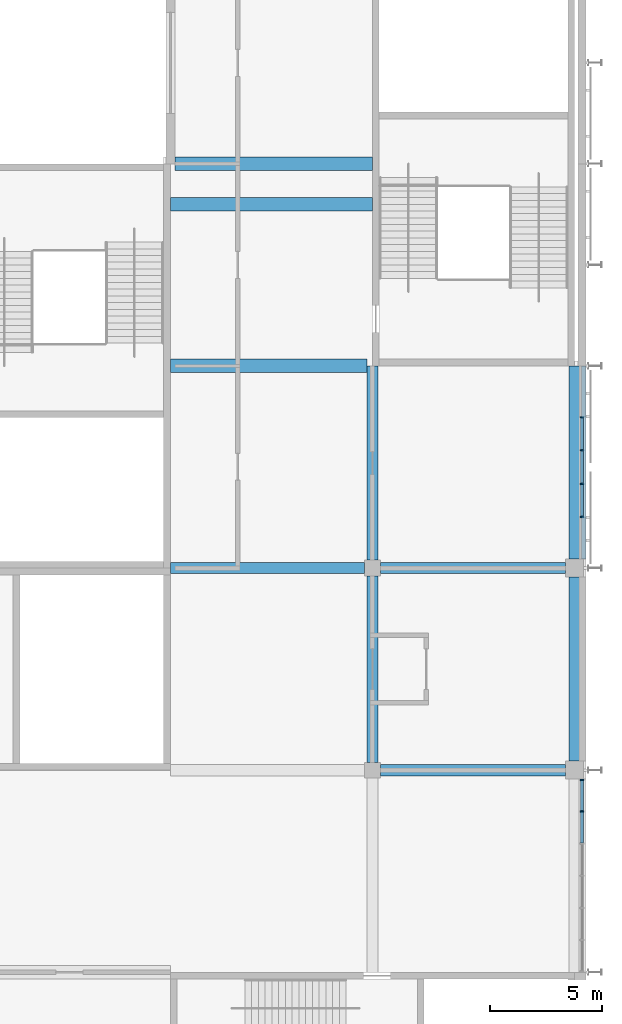
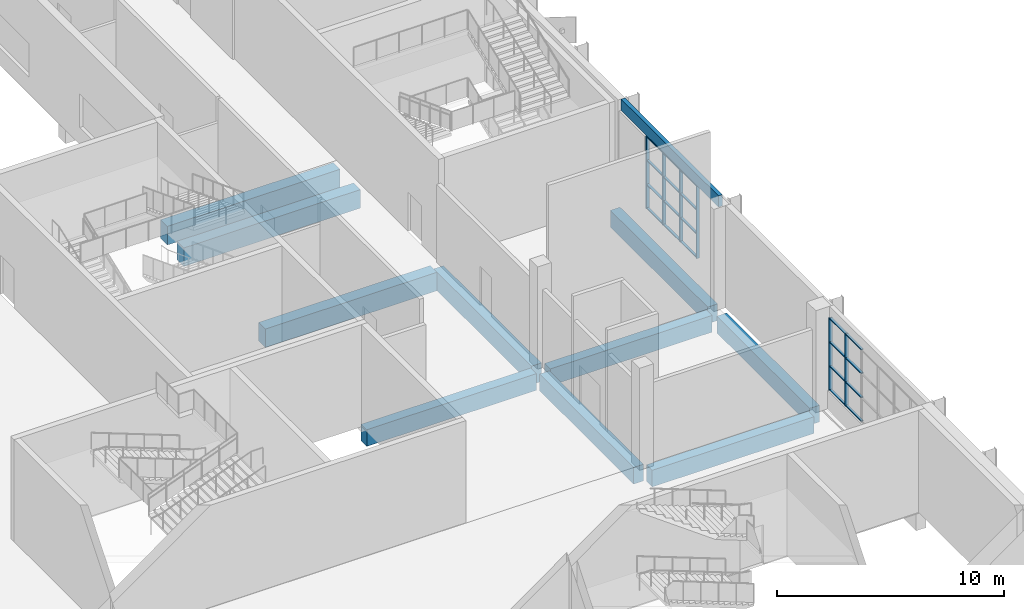
# One storey, part 22 of 84: 26 members, 11 beams, 2 elements without a shape of their own.
"""IFC4 building model written with IfcOpenShell, lengths in metres."""

from ifc_helpers import new_model, si_unit, direction, frame, origin, origin_2d, place, context, subcontext, project, spatial, rectangle, extrude, material, material_profile, profile_set, type_object, element, aggregate, save


model = new_model("IFC4")

# Units and contexts
model_context = context("Model", 3, precision=1e-05, world=origin(), true_north=direction((0.0, 1.0)))
body_context = subcontext(model_context, "Body", "Model", "MODEL_VIEW")
ifc_project = project(units=[si_unit("LENGTHUNIT", "METRE"), si_unit("AREAUNIT", "SQUARE_METRE"), si_unit("VOLUMEUNIT", "CUBIC_METRE"), si_unit("PLANEANGLEUNIT", "RADIAN"), si_unit("MASSUNIT", "GRAM", prefix="KILO")], contexts=[model_context])

# Site, building, storey
site_placement = place(None, origin())
site = spatial("IfcSite", under=ifc_project, at=site_placement, CompositionType="ELEMENT")
building_placement = place(site_placement, origin())
building = spatial("IfcBuilding", under=site, at=building_placement, Name="Silverbay Arena", CompositionType="ELEMENT")
storey_placement = place(building_placement, frame((0.0, 0.0, 28.0)))
storey = spatial("IfcBuildingStorey", under=building, at=storey_placement, Name="L04", CompositionType="ELEMENT", Elevation=28.0)

# Curtain wall, members
ifc_material_1 = material(Name="Aluminium framed curtain wall", Category="aluminium")
curtain_wall_type_1 = type_object("IfcCurtainWallType", Name="Curtain wall 8600 x 3900", PredefinedType="NOTDEFINED", material=ifc_material_1)
curtain_wall_1_placement = place(storey_placement, origin())
curtain_wall_1 = element("IfcCurtainWall", 1, at=curtain_wall_1_placement, inside=storey, type_object=curtain_wall_type_1, Name="East curtain wall L04 bay 2", PredefinedType="NOTDEFINED")
ifc_material_2 = material(Name="Aluminium", Category="aluminium")
ifc_material_profile_1 = material_profile(ifc_material_2, rectangle(XDim=0.159912109375, YDim=0.06005859375, at=origin_2d()), Name="Mullion 60 x 160")
ifc_profile_set_1 = profile_set([ifc_material_profile_1], Name="Aluminium")
member_type_1 = type_object("IfcMemberType", Name="Mullion 60 x 160", PredefinedType="MULLION", material=ifc_profile_set_1)
member_1_placement = place(storey_placement, frame((207.330078125, 34.166748046875, 1.0), z_axis=(0.0, 0.0, 1.0), x_axis=(-1.0, 0.0, 0.0)))
member_1 = element("IfcMember", 2, at=member_1_placement, type_object=member_type_1, Name="CW1 mullion 6", PredefinedType="MULLION", context=body_context, shape_type="SweptSolid", body=[
    extrude(rectangle(XDim=0.159912109375, YDim=0.06005859375, at=origin_2d()), origin(), (0.0, 0.0, 1.0), 3.89990234375),
])
member_2_placement = place(storey_placement, frame((207.330078125, 35.570068359375, 1.0), z_axis=(0.0, 0.0, 1.0), x_axis=(-1.0, 0.0, 0.0)))
member_2 = element("IfcMember", 3, at=member_2_placement, type_object=member_type_1, Name="CW1 mullion 7", PredefinedType="MULLION", context=body_context, shape_type="SweptSolid", body=[
    extrude(rectangle(XDim=0.159912109375, YDim=0.06005859375, at=origin_2d()), origin(), (0.0, 0.0, 1.0), 3.89990234375),
])

ifc_material_3 = material(Name="Aluminium framed curtain wall", Category="aluminium")
curtain_wall_type_2 = type_object("IfcCurtainWallType", Name="Curtain wall 4500 x 3900", PredefinedType="NOTDEFINED", material=ifc_material_3)
curtain_wall_2_placement = place(storey_placement, origin())
curtain_wall_2 = element("IfcCurtainWall", 4, at=curtain_wall_2_placement, inside=storey, type_object=curtain_wall_type_2, Name="East curtain wall L04 bay 4", PredefinedType="NOTDEFINED")
member_3_placement = place(storey_placement, frame((207.330078125, 47.280029296875, 1.0), z_axis=(0.0, 0.0, 1.0), x_axis=(-1.0, 0.0, 0.0)))
member_3 = element("IfcMember", 5, at=member_3_placement, type_object=member_type_1, Name="CW15 mullion 1", PredefinedType="MULLION", context=body_context, shape_type="SweptSolid", body=[
    extrude(rectangle(XDim=0.159912109375, YDim=0.06005859375, at=origin_2d()), origin(), (0.0, 0.0, 1.0), 3.89990234375),
])
member_4_placement = place(storey_placement, frame((207.330078125, 48.75, 1.0), z_axis=(0.0, 0.0, 1.0), x_axis=(-1.0, 0.0, 0.0)))
member_4 = element("IfcMember", 6, at=member_4_placement, type_object=member_type_1, Name="CW15 mullion 2", PredefinedType="MULLION", context=body_context, shape_type="SweptSolid", body=[
    extrude(rectangle(XDim=0.159912109375, YDim=0.06005859375, at=origin_2d()), origin(), (0.0, 0.0, 1.0), 3.89990234375),
])
member_5_placement = place(storey_placement, frame((207.330078125, 50.25, 1.0), z_axis=(0.0, 0.0, 1.0), x_axis=(-1.0, 0.0, 0.0)))
member_5 = element("IfcMember", 7, at=member_5_placement, type_object=member_type_1, Name="CW15 mullion 3", PredefinedType="MULLION", context=body_context, shape_type="SweptSolid", body=[
    extrude(rectangle(XDim=0.159912109375, YDim=0.06005859375, at=origin_2d()), origin(), (0.0, 0.0, 1.0), 3.89990234375),
])
member_6_placement = place(storey_placement, frame((207.330078125, 51.719970703125, 1.0), z_axis=(0.0, 0.0, 1.0), x_axis=(-1.0, 0.0, 0.0)))
member_6 = element("IfcMember", 8, at=member_6_placement, type_object=member_type_1, Name="CW15 mullion 4", PredefinedType="MULLION", context=body_context, shape_type="SweptSolid", body=[
    extrude(rectangle(XDim=0.159912109375, YDim=0.06005859375, at=origin_2d()), origin(), (0.0, 0.0, 1.0), 3.89990234375),
])

# Beams
ifc_material_4 = material(Name="Concrete Grade C45", Category="concrete")
ifc_material_profile_2 = material_profile(ifc_material_4, rectangle(XDim=0.5, YDim=1.0, at=origin_2d()), Name="RC 500x1000")
ifc_profile_set_2 = profile_set([ifc_material_profile_2], Name="Concrete Grade C45")
beam_type_1 = type_object("IfcBeamType", Name="RC beam 500x1000", PredefinedType="BEAM", material=ifc_profile_set_2)
beam_1_placement = place(storey_placement, frame((198.0, 45.35009765625, -0.800048828125), z_axis=(0.0, 1.0, 0.0), x_axis=(-1.0, 0.0, 0.0)))
element("IfcBeam", 9, at=beam_1_placement, inside=storey, type_object=beam_type_1, Name="Floor beam L04 147", PredefinedType="BEAM", context=body_context, shape_type="SweptSolid", body=[
    extrude(rectangle(XDim=0.5, YDim=1.0, at=origin_2d()), origin(), (0.0, 0.0, 1.0), 8.64990234375),
])
ifc_material_5 = material(Name="Concrete Grade C45", Category="concrete")
ifc_material_profile_3 = material_profile(ifc_material_5, rectangle(XDim=0.5, YDim=0.89990234375, at=origin_2d()), Name="RC 500x900")
ifc_profile_set_3 = profile_set([ifc_material_profile_3], Name="Concrete Grade C45")
beam_type_2 = type_object("IfcBeamType", Name="RC beam 500x900", PredefinedType="BEAM", material=ifc_profile_set_3)
beam_2_placement = place(storey_placement, frame((198.35009765625, 36.0, -0.75), z_axis=(1.0, 0.0, 0.0), x_axis=(0.0, 1.0, 0.0)))
element("IfcBeam", 10, at=beam_2_placement, inside=storey, type_object=beam_type_2, Name="Floor beam L04 014", PredefinedType="BEAM", context=body_context, shape_type="SweptSolid", body=[
    extrude(rectangle(XDim=0.5, YDim=0.89990234375, at=origin_2d()), origin(), (0.0, 0.0, 1.0), 8.25),
])
beam_3_placement = place(storey_placement, frame((189.0, 45.0, -0.75), z_axis=(1.0, 0.0, 0.0), x_axis=(0.0, 1.0, 0.0)))
element("IfcBeam", 11, at=beam_3_placement, inside=storey, type_object=beam_type_2, Name="Floor beam L04 019", PredefinedType="BEAM", context=body_context, shape_type="SweptSolid", body=[
    extrude(rectangle(XDim=0.5, YDim=0.89990234375, at=origin_2d()), origin(), (0.0, 0.0, 1.0), 8.64990234375),
])
beam_4_placement = place(storey_placement, frame((198.35009765625, 45.0, -0.75), z_axis=(1.0, 0.0, 0.0), x_axis=(0.0, 1.0, 0.0)))
element("IfcBeam", 12, at=beam_4_placement, inside=storey, type_object=beam_type_2, Name="Floor beam L04 020", PredefinedType="BEAM", context=body_context, shape_type="SweptSolid", body=[
    extrude(rectangle(XDim=0.5, YDim=0.89990234375, at=origin_2d()), origin(), (0.0, 0.0, 1.0), 8.25),
])
beam_5_placement = place(storey_placement, frame((198.0, 36.35009765625, -0.75), z_axis=(0.0, 1.0, 0.0), x_axis=(-1.0, 0.0, 0.0)))
element("IfcBeam", 13, at=beam_5_placement, inside=storey, type_object=beam_type_2, Name="Floor beam L04 146", PredefinedType="BEAM", context=body_context, shape_type="SweptSolid", body=[
    extrude(rectangle(XDim=0.5, YDim=0.89990234375, at=origin_2d()), origin(), (0.0, 0.0, 1.0), 8.2998046875),
])
beam_6_placement = place(storey_placement, frame((207.0, 36.39990234375, -0.75), z_axis=(0.0, 1.0, 0.0), x_axis=(-1.0, 0.0, 0.0)))
element("IfcBeam", 14, at=beam_6_placement, inside=storey, type_object=beam_type_2, Name="Floor beam L04 154", PredefinedType="BEAM", context=body_context, shape_type="SweptSolid", body=[
    extrude(rectangle(XDim=0.5, YDim=0.89990234375, at=origin_2d()), origin(), (0.0, 0.0, 1.0), 8.2001953125),
])
beam_7_placement = place(storey_placement, frame((207.0, 45.39990234375, -0.75), z_axis=(0.0, 1.0, 0.0), x_axis=(-1.0, 0.0, 0.0)))
element("IfcBeam", 15, at=beam_7_placement, inside=storey, type_object=beam_type_2, Name="Floor beam L04 155", PredefinedType="BEAM", context=body_context, shape_type="SweptSolid", body=[
    extrude(rectangle(XDim=0.5, YDim=0.89990234375, at=origin_2d()), origin(), (0.0, 0.0, 1.0), 8.60009765625),
])
ifc_material_6 = material(Name="Concrete Grade C45", Category="concrete")
ifc_material_profile_4 = material_profile(ifc_material_6, rectangle(XDim=0.60009765625, YDim=1.0, at=origin_2d()), Name="RC 600x1000")
ifc_profile_set_4 = profile_set([ifc_material_profile_4], Name="Concrete Grade C45")
beam_type_3 = type_object("IfcBeamType", Name="RC beam 600x1000", PredefinedType="BEAM", material=ifc_profile_set_4)
beam_8_placement = place(storey_placement, frame((189.0, 54.0, -0.800048828125), z_axis=(1.0, 0.0, 0.0), x_axis=(0.0, 1.0, 0.0)))
element("IfcBeam", 16, at=beam_8_placement, inside=storey, type_object=beam_type_3, Name="Floor beam L04 026", PredefinedType="BEAM", context=body_context, shape_type="SweptSolid", body=[
    extrude(rectangle(XDim=0.60009765625, YDim=1.0, at=origin_2d()), origin(), (0.0, 0.0, 1.0), 8.75),
])
beam_9_placement = place(storey_placement, frame((189.0, 61.199951171875, -0.800048828125), z_axis=(1.0, 0.0, 0.0), x_axis=(0.0, 1.0, 0.0)))
element("IfcBeam", 17, at=beam_9_placement, inside=storey, type_object=beam_type_3, Name="Floor beam L04 030", PredefinedType="BEAM", context=body_context, shape_type="SweptSolid", body=[
    extrude(rectangle(XDim=0.60009765625, YDim=1.0, at=origin_2d()), origin(), (0.0, 0.0, 1.0), 9.0),
])
beam_10_placement = place(storey_placement, frame((189.199951171875, 63.0, -0.800048828125), z_axis=(1.0, 0.0, 0.0), x_axis=(0.0, 1.0, 0.0)))
element("IfcBeam", 18, at=beam_10_placement, inside=storey, type_object=beam_type_3, Name="Floor beam L04 034", PredefinedType="BEAM", context=body_context, shape_type="SweptSolid", body=[
    extrude(rectangle(XDim=0.60009765625, YDim=1.0, at=origin_2d()), origin(), (0.0, 0.0, 1.0), 8.800048828125),
])
ifc_material_7 = material(Name="Concrete Grade C45", Category="concrete")
ifc_material_profile_5 = material_profile(ifc_material_7, rectangle(XDim=0.199951171875, YDim=0.60009765625, at=origin_2d()), Name="RC 200x600")
ifc_profile_set_5 = profile_set([ifc_material_profile_5], Name="Concrete Grade C45")
beam_type_4 = type_object("IfcBeamType", Name="RC facade beam 200x600", PredefinedType="SPANDREL", material=ifc_profile_set_5)
beam_11_placement = place(storey_placement, frame((207.39990234375, 45.39990234375, 5.199951171875), z_axis=(0.0, 1.0, 0.0), x_axis=(-1.0, 0.0, 0.0)))
element("IfcBeam", 19, at=beam_11_placement, inside=storey, type_object=beam_type_4, Name="Facade beam L04 east", PredefinedType="SPANDREL", context=body_context, shape_type="SweptSolid", body=[
    extrude(rectangle(XDim=0.199951171875, YDim=0.60009765625, at=origin_2d()), origin(), (0.0, 0.0, 1.0), 8.60009765625),
])

# Member
ifc_material_8 = material(Name="Aluminium", Category="aluminium")
ifc_material_profile_6 = material_profile(ifc_material_8, rectangle(XDim=0.1201171875, YDim=0.050048828125, at=origin_2d()), Name="Transom 50 x 120")
ifc_profile_set_6 = profile_set([ifc_material_profile_6], Name="Aluminium")
member_type_2 = type_object("IfcMemberType", Name="Transom 50 x 120", PredefinedType="USERDEFINED", material=ifc_profile_set_6)
member_7_placement = place(storey_placement, frame((207.330078125, 32.763427734375, 1.02490234375), z_axis=(0.0, 1.0, 0.0), x_axis=(-1.0, 0.0, 0.0)))
member_7 = element("IfcMember", 20, at=member_7_placement, type_object=member_type_2, Name="CW1 transom 5.1", ObjectType="TRANSOM", PredefinedType="USERDEFINED", context=body_context, shape_type="SweptSolid", body=[
    extrude(rectangle(XDim=0.1201171875, YDim=0.050048828125, at=origin_2d()), origin(), (0.0, 0.0, 1.0), 1.373291015625),
])

member_8_placement = place(storey_placement, frame((207.330078125, 32.763427734375, 2.300048828125), z_axis=(0.0, 1.0, 0.0), x_axis=(-1.0, 0.0, 0.0)))
member_8 = element("IfcMember", 21, at=member_8_placement, type_object=member_type_2, Name="CW1 transom 5.2", ObjectType="TRANSOM", PredefinedType="USERDEFINED", context=body_context, shape_type="SweptSolid", body=[
    extrude(rectangle(XDim=0.1201171875, YDim=0.050048828125, at=origin_2d()), origin(), (0.0, 0.0, 1.0), 1.373291015625),
])

member_9_placement = place(storey_placement, frame((207.330078125, 32.763427734375, 3.60009765625), z_axis=(0.0, 1.0, 0.0), x_axis=(-1.0, 0.0, 0.0)))
member_9 = element("IfcMember", 22, at=member_9_placement, type_object=member_type_2, Name="CW1 transom 5.3", ObjectType="TRANSOM", PredefinedType="USERDEFINED", context=body_context, shape_type="SweptSolid", body=[
    extrude(rectangle(XDim=0.1201171875, YDim=0.050048828125, at=origin_2d()), origin(), (0.0, 0.0, 1.0), 1.373291015625),
])

member_10_placement = place(storey_placement, frame((207.330078125, 32.763427734375, 4.875), z_axis=(0.0, 1.0, 0.0), x_axis=(-1.0, 0.0, 0.0)))
member_10 = element("IfcMember", 23, at=member_10_placement, type_object=member_type_2, Name="CW1 transom 5.4", ObjectType="TRANSOM", PredefinedType="USERDEFINED", context=body_context, shape_type="SweptSolid", body=[
    extrude(rectangle(XDim=0.1201171875, YDim=0.050048828125, at=origin_2d()), origin(), (0.0, 0.0, 1.0), 1.373291015625),
])

member_11_placement = place(storey_placement, frame((207.330078125, 34.19677734375, 1.02490234375), z_axis=(0.0, 1.0, 0.0), x_axis=(-1.0, 0.0, 0.0)))
member_11 = element("IfcMember", 24, at=member_11_placement, type_object=member_type_2, Name="CW1 transom 6.1", ObjectType="TRANSOM", PredefinedType="USERDEFINED", context=body_context, shape_type="SweptSolid", body=[
    extrude(rectangle(XDim=0.1201171875, YDim=0.050048828125, at=origin_2d()), origin(), (0.0, 0.0, 1.0), 1.34326171875),
])

member_12_placement = place(storey_placement, frame((207.330078125, 34.19677734375, 2.300048828125), z_axis=(0.0, 1.0, 0.0), x_axis=(-1.0, 0.0, 0.0)))
member_12 = element("IfcMember", 25, at=member_12_placement, type_object=member_type_2, Name="CW1 transom 6.2", ObjectType="TRANSOM", PredefinedType="USERDEFINED", context=body_context, shape_type="SweptSolid", body=[
    extrude(rectangle(XDim=0.1201171875, YDim=0.050048828125, at=origin_2d()), origin(), (0.0, 0.0, 1.0), 1.34326171875),
])

member_13_placement = place(storey_placement, frame((207.330078125, 34.19677734375, 3.60009765625), z_axis=(0.0, 1.0, 0.0), x_axis=(-1.0, 0.0, 0.0)))
member_13 = element("IfcMember", 26, at=member_13_placement, type_object=member_type_2, Name="CW1 transom 6.3", ObjectType="TRANSOM", PredefinedType="USERDEFINED", context=body_context, shape_type="SweptSolid", body=[
    extrude(rectangle(XDim=0.1201171875, YDim=0.050048828125, at=origin_2d()), origin(), (0.0, 0.0, 1.0), 1.34326171875),
])

member_14_placement = place(storey_placement, frame((207.330078125, 34.19677734375, 4.875), z_axis=(0.0, 1.0, 0.0), x_axis=(-1.0, 0.0, 0.0)))
member_14 = element("IfcMember", 27, at=member_14_placement, type_object=member_type_2, Name="CW1 transom 6.4", ObjectType="TRANSOM", PredefinedType="USERDEFINED", context=body_context, shape_type="SweptSolid", body=[
    extrude(rectangle(XDim=0.1201171875, YDim=0.050048828125, at=origin_2d()), origin(), (0.0, 0.0, 1.0), 1.34326171875),
])

aggregate(curtain_wall_1, [member_1, member_2, member_7, member_8, member_9, member_10, member_11, member_12, member_13, member_14])

member_15_placement = place(storey_placement, frame((207.330078125, 47.31005859375, 1.02490234375), z_axis=(0.0, 1.0, 0.0), x_axis=(-1.0, 0.0, 0.0)))
member_15 = element("IfcMember", 28, at=member_15_placement, type_object=member_type_2, Name="CW15 transom 1.1", ObjectType="TRANSOM", PredefinedType="USERDEFINED", context=body_context, shape_type="SweptSolid", body=[
    extrude(rectangle(XDim=0.1201171875, YDim=0.050048828125, at=origin_2d()), origin(), (0.0, 0.0, 1.0), 1.409912109375),
])

member_16_placement = place(storey_placement, frame((207.330078125, 47.31005859375, 2.300048828125), z_axis=(0.0, 1.0, 0.0), x_axis=(-1.0, 0.0, 0.0)))
member_16 = element("IfcMember", 29, at=member_16_placement, type_object=member_type_2, Name="CW15 transom 1.2", ObjectType="TRANSOM", PredefinedType="USERDEFINED", context=body_context, shape_type="SweptSolid", body=[
    extrude(rectangle(XDim=0.1201171875, YDim=0.050048828125, at=origin_2d()), origin(), (0.0, 0.0, 1.0), 1.409912109375),
])

member_17_placement = place(storey_placement, frame((207.330078125, 47.31005859375, 3.60009765625), z_axis=(0.0, 1.0, 0.0), x_axis=(-1.0, 0.0, 0.0)))
member_17 = element("IfcMember", 30, at=member_17_placement, type_object=member_type_2, Name="CW15 transom 1.3", ObjectType="TRANSOM", PredefinedType="USERDEFINED", context=body_context, shape_type="SweptSolid", body=[
    extrude(rectangle(XDim=0.1201171875, YDim=0.050048828125, at=origin_2d()), origin(), (0.0, 0.0, 1.0), 1.409912109375),
])

member_18_placement = place(storey_placement, frame((207.330078125, 47.31005859375, 4.875), z_axis=(0.0, 1.0, 0.0), x_axis=(-1.0, 0.0, 0.0)))
member_18 = element("IfcMember", 31, at=member_18_placement, type_object=member_type_2, Name="CW15 transom 1.4", ObjectType="TRANSOM", PredefinedType="USERDEFINED", context=body_context, shape_type="SweptSolid", body=[
    extrude(rectangle(XDim=0.1201171875, YDim=0.050048828125, at=origin_2d()), origin(), (0.0, 0.0, 1.0), 1.409912109375),
])

member_19_placement = place(storey_placement, frame((207.330078125, 48.780029296875, 1.02490234375), z_axis=(0.0, 1.0, 0.0), x_axis=(-1.0, 0.0, 0.0)))
member_19 = element("IfcMember", 32, at=member_19_placement, type_object=member_type_2, Name="CW15 transom 2.1", ObjectType="TRANSOM", PredefinedType="USERDEFINED", context=body_context, shape_type="SweptSolid", body=[
    extrude(rectangle(XDim=0.1201171875, YDim=0.050048828125, at=origin_2d()), origin(), (0.0, 0.0, 1.0), 1.43994140625),
])

member_20_placement = place(storey_placement, frame((207.330078125, 48.780029296875, 2.300048828125), z_axis=(0.0, 1.0, 0.0), x_axis=(-1.0, 0.0, 0.0)))
member_20 = element("IfcMember", 33, at=member_20_placement, type_object=member_type_2, Name="CW15 transom 2.2", ObjectType="TRANSOM", PredefinedType="USERDEFINED", context=body_context, shape_type="SweptSolid", body=[
    extrude(rectangle(XDim=0.1201171875, YDim=0.050048828125, at=origin_2d()), origin(), (0.0, 0.0, 1.0), 1.43994140625),
])

member_21_placement = place(storey_placement, frame((207.330078125, 48.780029296875, 3.60009765625), z_axis=(0.0, 1.0, 0.0), x_axis=(-1.0, 0.0, 0.0)))
member_21 = element("IfcMember", 34, at=member_21_placement, type_object=member_type_2, Name="CW15 transom 2.3", ObjectType="TRANSOM", PredefinedType="USERDEFINED", context=body_context, shape_type="SweptSolid", body=[
    extrude(rectangle(XDim=0.1201171875, YDim=0.050048828125, at=origin_2d()), origin(), (0.0, 0.0, 1.0), 1.43994140625),
])

member_22_placement = place(storey_placement, frame((207.330078125, 48.780029296875, 4.875), z_axis=(0.0, 1.0, 0.0), x_axis=(-1.0, 0.0, 0.0)))
member_22 = element("IfcMember", 35, at=member_22_placement, type_object=member_type_2, Name="CW15 transom 2.4", ObjectType="TRANSOM", PredefinedType="USERDEFINED", context=body_context, shape_type="SweptSolid", body=[
    extrude(rectangle(XDim=0.1201171875, YDim=0.050048828125, at=origin_2d()), origin(), (0.0, 0.0, 1.0), 1.43994140625),
])

member_23_placement = place(storey_placement, frame((207.330078125, 50.280029296875, 1.02490234375), z_axis=(0.0, 1.0, 0.0), x_axis=(-1.0, 0.0, 0.0)))
member_23 = element("IfcMember", 36, at=member_23_placement, type_object=member_type_2, Name="CW15 transom 3.1", ObjectType="TRANSOM", PredefinedType="USERDEFINED", context=body_context, shape_type="SweptSolid", body=[
    extrude(rectangle(XDim=0.1201171875, YDim=0.050048828125, at=origin_2d()), origin(), (0.0, 0.0, 1.0), 1.409912109375),
])

member_24_placement = place(storey_placement, frame((207.330078125, 50.280029296875, 2.300048828125), z_axis=(0.0, 1.0, 0.0), x_axis=(-1.0, 0.0, 0.0)))
member_24 = element("IfcMember", 37, at=member_24_placement, type_object=member_type_2, Name="CW15 transom 3.2", ObjectType="TRANSOM", PredefinedType="USERDEFINED", context=body_context, shape_type="SweptSolid", body=[
    extrude(rectangle(XDim=0.1201171875, YDim=0.050048828125, at=origin_2d()), origin(), (0.0, 0.0, 1.0), 1.409912109375),
])

member_25_placement = place(storey_placement, frame((207.330078125, 50.280029296875, 3.60009765625), z_axis=(0.0, 1.0, 0.0), x_axis=(-1.0, 0.0, 0.0)))
member_25 = element("IfcMember", 38, at=member_25_placement, type_object=member_type_2, Name="CW15 transom 3.3", ObjectType="TRANSOM", PredefinedType="USERDEFINED", context=body_context, shape_type="SweptSolid", body=[
    extrude(rectangle(XDim=0.1201171875, YDim=0.050048828125, at=origin_2d()), origin(), (0.0, 0.0, 1.0), 1.409912109375),
])

member_26_placement = place(storey_placement, frame((207.330078125, 50.280029296875, 4.875), z_axis=(0.0, 1.0, 0.0), x_axis=(-1.0, 0.0, 0.0)))
member_26 = element("IfcMember", 39, at=member_26_placement, type_object=member_type_2, Name="CW15 transom 3.4", ObjectType="TRANSOM", PredefinedType="USERDEFINED", context=body_context, shape_type="SweptSolid", body=[
    extrude(rectangle(XDim=0.1201171875, YDim=0.050048828125, at=origin_2d()), origin(), (0.0, 0.0, 1.0), 1.409912109375),
])

aggregate(curtain_wall_2, [member_3, member_4, member_5, member_6, member_15, member_16, member_17, member_18, member_19, member_20, member_21, member_22, member_23, member_24, member_25, member_26])

save(model, "model.ifc")
